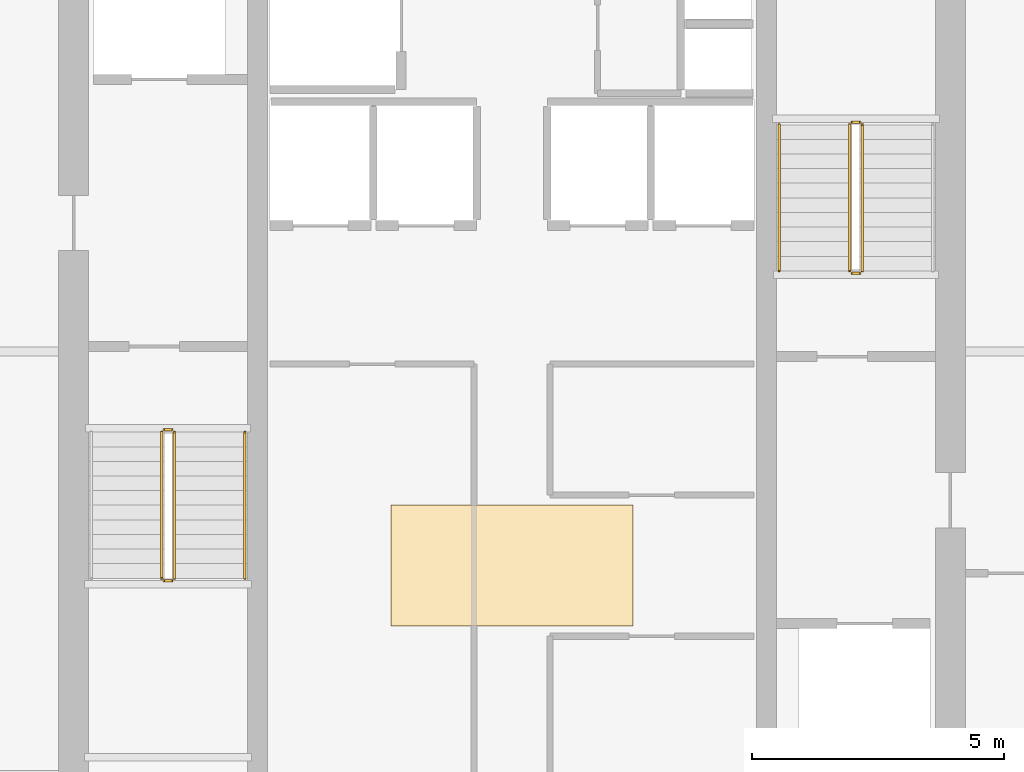
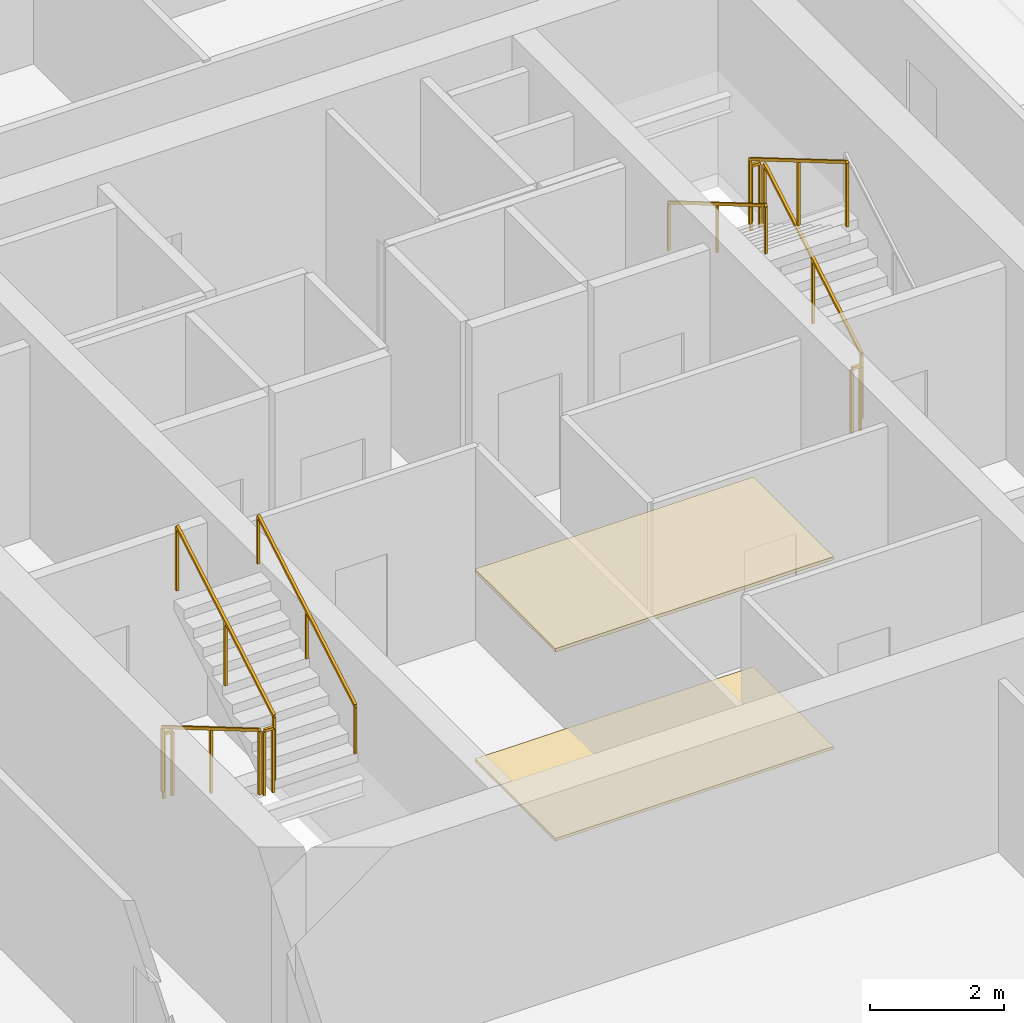
# One storey, part 21 of 22: 10 railings, 2 coverings.
"""IFC4 building model written with IfcOpenShell, lengths in metres."""

from ifc_helpers import new_model, si_unit, direction, frame, origin, origin_2d, place, context, subcontext, project, spatial, polyline, rectangle, outline, extrude, material, layer, layer_set, type_object, element, save


model = new_model("IFC4")

# Units and contexts
model_context = context("Model", 3, precision=1e-05, world=origin(), true_north=direction((0.0, 1.0)))
body_context = subcontext(model_context, "Body", "Model", "MODEL_VIEW")
ifc_project = project(units=[si_unit("LENGTHUNIT", "METRE"), si_unit("AREAUNIT", "SQUARE_METRE"), si_unit("VOLUMEUNIT", "CUBIC_METRE"), si_unit("PLANEANGLEUNIT", "RADIAN"), si_unit("MASSUNIT", "GRAM", prefix="KILO")], contexts=[model_context])

# Site, building, storey
site_placement = place(None, origin())
site = spatial("IfcSite", under=ifc_project, at=site_placement, CompositionType="ELEMENT")
building_placement = place(site_placement, origin())
building = spatial("IfcBuilding", under=site, at=building_placement, Name="Belovzor Exchange Tower", CompositionType="ELEMENT")
storey_placement = place(building_placement, frame((0.0, 0.0, 348.0)))
storey = spatial("IfcBuildingStorey", under=building, at=storey_placement, Name="L87", CompositionType="ELEMENT", Elevation=348.0)

# Railings
ifc_material_1 = material(Name="Stainless Steel Grade 304", Category="steel")
railing_type_1 = type_object("IfcRailingType", Name="Brushed Stainless Steel Stair Handrail 900", PredefinedType="HANDRAIL", material=ifc_material_1)
railing_1_placement = place(storey_placement, frame((23.5, 24.300048828125, 2.04541015625)))
element("IfcRailing", 1, at=railing_1_placement, inside=storey, type_object=railing_type_1, Name="L87 ST-1 stair handrail 2", PredefinedType="HANDRAIL", context=body_context, shape_type="SweptSolid", body=[
    extrude(rectangle(XDim=0.048095703125, YDim=0.048095703125, at=origin_2d()), frame((0.0, 0.0, 0.8759765625), z_axis=(0.0, 0.86209462966, 0.506747323142), x_axis=(-1.0, 0.0, 0.0)), (0.0, 0.0, 1.0), 3.36376953125),
    extrude(rectangle(XDim=0.0419921875, YDim=0.0419921875, at=origin_2d()), origin(), (0.0, 0.0, 1.0), 0.851806640625),
    extrude(rectangle(XDim=0.0419921875, YDim=0.0419921875, at=origin_2d()), frame((0.0, 1.449951171875, 0.852294921875)), (0.0, 0.0, 1.0), 0.851806640625),
    extrude(rectangle(XDim=0.0419921875, YDim=0.0419921875, at=origin_2d()), frame((0.0, 2.89990234375, 1.70458984375)), (0.0, 0.0, 1.0), 0.851806640625),
])
railing_2_placement = place(storey_placement, frame((34.10009765625, 33.300048828125, 2.04541015625)))
element("IfcRailing", 2, at=railing_2_placement, inside=storey, type_object=railing_type_1, Name="L87 ST-2 stair handrail 2", PredefinedType="HANDRAIL", context=body_context, shape_type="SweptSolid", body=[
    extrude(rectangle(XDim=0.048095703125, YDim=0.048095703125, at=origin_2d()), frame((0.0, 0.0, 0.8759765625), z_axis=(0.0, -0.862113265706, 0.506715617574), x_axis=(1.0, 0.0, 0.0)), (0.0, 0.0, 1.0), 3.364013671875),
    extrude(rectangle(XDim=0.0419921875, YDim=0.0419921875, at=origin_2d()), origin(), (0.0, 0.0, 1.0), 0.851806640625),
    extrude(rectangle(XDim=0.0419921875, YDim=0.0419921875, at=origin_2d()), frame((0.0, -1.4501953125, 0.852294921875)), (0.0, 0.0, 1.0), 0.851806640625),
    extrude(rectangle(XDim=0.0419921875, YDim=0.0419921875, at=origin_2d()), frame((0.0, -2.900146484375, 1.70458984375)), (0.0, 0.0, 1.0), 0.851806640625),
])
ifc_material_2 = material(Name="Steel S355", Category="steel")
railing_type_2 = type_object("IfcRailingType", Name="Painted Steel Stairwell Guardrail 1200", PredefinedType="GUARDRAIL", material=ifc_material_2)
railing_3_placement = place(storey_placement, frame((21.85009765625, 27.199951171875, 0.17041015625)))
element("IfcRailing", 3, at=railing_3_placement, inside=storey, type_object=railing_type_2, Name="L87 ST-1 stair guard 1", PredefinedType="GUARDRAIL", context=body_context, shape_type="SweptSolid", body=[
    extrude(rectangle(XDim=0.048095703125, YDim=0.048095703125, at=origin_2d()), frame((0.0, 0.0, 1.17578125), z_axis=(0.0, -0.86209462966, 0.506747323142), x_axis=(1.0, 0.0, 0.0)), (0.0, 0.0, 1.0), 3.36376953125),
    extrude(rectangle(XDim=0.0419921875, YDim=0.0419921875, at=origin_2d()), origin(), (0.0, 0.0, 1.0), 1.15185546875),
    extrude(rectangle(XDim=0.0419921875, YDim=0.0419921875, at=origin_2d()), frame((0.0, -1.449951171875, 0.852294921875)), (0.0, 0.0, 1.0), 1.15185546875),
    extrude(rectangle(XDim=0.0419921875, YDim=0.0419921875, at=origin_2d()), frame((0.0, -2.89990234375, 1.70458984375)), (0.0, 0.0, 1.0), 1.15185546875),
])
railing_4_placement = place(storey_placement, frame((21.89990234375, 24.25, 1.875)))
element("IfcRailing", 4, at=railing_4_placement, inside=storey, type_object=railing_type_2, Name="L87 ST-1 stair guard 2", PredefinedType="GUARDRAIL", context=body_context, shape_type="SweptSolid", body=[
    extrude(rectangle(XDim=0.048095703125, YDim=0.048095703125, at=origin_2d()), frame((0.0, 0.0, 1.17578125), z_axis=(1.0, 0.0, 0.0), x_axis=(0.0, 1.0, 0.0)), (0.0, 0.0, 1.0), 0.150146484375),
    extrude(rectangle(XDim=0.0419921875, YDim=0.0419921875, at=origin_2d()), origin(), (0.0, 0.0, 1.0), 1.15185546875),
    extrude(rectangle(XDim=0.0419921875, YDim=0.0419921875, at=origin_2d()), frame((0.150146484375, 0.0, 0.0)), (0.0, 0.0, 1.0), 1.15185546875),
])
railing_5_placement = place(storey_placement, frame((22.10009765625, 24.300048828125, 2.04541015625)))
element("IfcRailing", 5, at=railing_5_placement, inside=storey, type_object=railing_type_2, Name="L87 ST-1 stair guard 3", PredefinedType="GUARDRAIL", context=body_context, shape_type="SweptSolid", body=[
    extrude(rectangle(XDim=0.048095703125, YDim=0.048095703125, at=origin_2d()), frame((0.0, 0.0, 1.17578125), z_axis=(0.0, 0.86209462966, 0.506747323142), x_axis=(-1.0, 0.0, 0.0)), (0.0, 0.0, 1.0), 3.36376953125),
    extrude(rectangle(XDim=0.0419921875, YDim=0.0419921875, at=origin_2d()), origin(), (0.0, 0.0, 1.0), 1.15185546875),
    extrude(rectangle(XDim=0.0419921875, YDim=0.0419921875, at=origin_2d()), frame((0.0, 1.449951171875, 0.852294921875)), (0.0, 0.0, 1.0), 1.15185546875),
    extrude(rectangle(XDim=0.0419921875, YDim=0.0419921875, at=origin_2d()), frame((0.0, 2.89990234375, 1.70458984375)), (0.0, 0.0, 1.0), 1.15185546875),
])
railing_6_placement = place(storey_placement, frame((21.89990234375, 27.25, 0.0)))
element("IfcRailing", 6, at=railing_6_placement, inside=storey, type_object=railing_type_2, Name="L87 ST-1 stair guard 4", PredefinedType="GUARDRAIL", context=body_context, shape_type="SweptSolid", body=[
    extrude(rectangle(XDim=0.048095703125, YDim=0.048095703125, at=origin_2d()), frame((0.0, 0.0, 1.17578125), z_axis=(1.0, 0.0, 0.0), x_axis=(0.0, 1.0, 0.0)), (0.0, 0.0, 1.0), 0.150146484375),
    extrude(rectangle(XDim=0.0419921875, YDim=0.0419921875, at=origin_2d()), origin(), (0.0, 0.0, 1.0), 1.15185546875),
    extrude(rectangle(XDim=0.0419921875, YDim=0.0419921875, at=origin_2d()), frame((0.150146484375, 0.0, 0.0)), (0.0, 0.0, 1.0), 1.15185546875),
])
railing_7_placement = place(storey_placement, frame((35.75, 30.39990234375, 0.17041015625)))
element("IfcRailing", 7, at=railing_7_placement, inside=storey, type_object=railing_type_2, Name="L87 ST-2 stair guard 1", PredefinedType="GUARDRAIL", context=body_context, shape_type="SweptSolid", body=[
    extrude(rectangle(XDim=0.048095703125, YDim=0.048095703125, at=origin_2d()), frame((0.0, 0.0, 1.17578125), z_axis=(0.0, 0.862113265706, 0.506715617574), x_axis=(-1.0, 0.0, 0.0)), (0.0, 0.0, 1.0), 3.364013671875),
    extrude(rectangle(XDim=0.0419921875, YDim=0.0419921875, at=origin_2d()), origin(), (0.0, 0.0, 1.0), 1.15185546875),
    extrude(rectangle(XDim=0.0419921875, YDim=0.0419921875, at=origin_2d()), frame((0.0, 1.4501953125, 0.852294921875)), (0.0, 0.0, 1.0), 1.15185546875),
    extrude(rectangle(XDim=0.0419921875, YDim=0.0419921875, at=origin_2d()), frame((0.0, 2.900146484375, 1.70458984375)), (0.0, 0.0, 1.0), 1.15185546875),
])
railing_8_placement = place(storey_placement, frame((35.699951171875, 33.35009765625, 1.875)))
element("IfcRailing", 8, at=railing_8_placement, inside=storey, type_object=railing_type_2, Name="L87 ST-2 stair guard 2", PredefinedType="GUARDRAIL", context=body_context, shape_type="SweptSolid", body=[
    extrude(rectangle(XDim=0.048095703125, YDim=0.048095703125, at=origin_2d()), frame((0.0, 0.0, 1.17578125), z_axis=(-1.0, 0.0, 0.0), x_axis=(0.0, -1.0, 0.0)), (0.0, 0.0, 1.0), 0.14990234375),
    extrude(rectangle(XDim=0.0419921875, YDim=0.0419921875, at=origin_2d()), origin(), (0.0, 0.0, 1.0), 1.15185546875),
    extrude(rectangle(XDim=0.0419921875, YDim=0.0419921875, at=origin_2d()), frame((-0.14990234375, 0.0, 0.0)), (0.0, 0.0, 1.0), 1.15185546875),
])
railing_9_placement = place(storey_placement, frame((35.5, 33.300048828125, 2.04541015625)))
element("IfcRailing", 9, at=railing_9_placement, inside=storey, type_object=railing_type_2, Name="L87 ST-2 stair guard 3", PredefinedType="GUARDRAIL", context=body_context, shape_type="SweptSolid", body=[
    extrude(rectangle(XDim=0.048095703125, YDim=0.048095703125, at=origin_2d()), frame((0.0, 0.0, 1.17578125), z_axis=(0.0, -0.862113265706, 0.506715617574), x_axis=(1.0, 0.0, 0.0)), (0.0, 0.0, 1.0), 3.364013671875),
    extrude(rectangle(XDim=0.0419921875, YDim=0.0419921875, at=origin_2d()), origin(), (0.0, 0.0, 1.0), 1.15185546875),
    extrude(rectangle(XDim=0.0419921875, YDim=0.0419921875, at=origin_2d()), frame((0.0, -1.4501953125, 0.852294921875)), (0.0, 0.0, 1.0), 1.15185546875),
    extrude(rectangle(XDim=0.0419921875, YDim=0.0419921875, at=origin_2d()), frame((0.0, -2.900146484375, 1.70458984375)), (0.0, 0.0, 1.0), 1.15185546875),
])
railing_10_placement = place(storey_placement, frame((35.699951171875, 30.35009765625, 0.0)))
element("IfcRailing", 10, at=railing_10_placement, inside=storey, type_object=railing_type_2, Name="L87 ST-2 stair guard 4", PredefinedType="GUARDRAIL", context=body_context, shape_type="SweptSolid", body=[
    extrude(rectangle(XDim=0.048095703125, YDim=0.048095703125, at=origin_2d()), frame((0.0, 0.0, 1.17578125), z_axis=(-1.0, 0.0, 0.0), x_axis=(0.0, -1.0, 0.0)), (0.0, 0.0, 1.0), 0.14990234375),
    extrude(rectangle(XDim=0.0419921875, YDim=0.0419921875, at=origin_2d()), origin(), (0.0, 0.0, 1.0), 1.15185546875),
    extrude(rectangle(XDim=0.0419921875, YDim=0.0419921875, at=origin_2d()), frame((-0.14990234375, 0.0, 0.0)), (0.0, 0.0, 1.0), 1.15185546875),
])

# Coverings
ifc_material_3 = material(Name="Perforated Powder-Coated Aluminium", Category="aluminium")
ifc_layer_1 = layer(ifc_material_3, 0.06005859375)
ifc_layer_set_1 = layer_set([ifc_layer_1], Name="Perforated Powder-Coated Aluminium")
covering_type_1 = type_object("IfcCoveringType", Name="Perforated Acoustic Metal Tile Suspended Ceiling 60", PredefinedType="CEILING", material=ifc_layer_set_1)
covering_1_placement = place(storey_placement, frame((0.0, 0.0, 3.449951171875)))
element("IfcCovering", 11, at=covering_1_placement, inside=storey, type_object=covering_type_1, Name="CLG-AC60 Suspended Ceiling CLG-L87-LOB", PredefinedType="CEILING", context=body_context, shape_type="SweptSolid", body=[
    extrude(outline(polyline([(26.39990234375, 23.35009765625), (31.199951171875, 23.35009765625), (31.199951171875, 25.75), (26.39990234375, 25.75), (26.39990234375, 23.35009765625)])), origin(), (0.0, 0.0, 1.0), 0.06005859375),
])
ifc_material_4 = material(Name="Polished Natural Granite Tile", Category="masonry")
ifc_layer_2 = layer(ifc_material_4, 0.050048828125)
ifc_layer_set_2 = layer_set([ifc_layer_2], Name="Polished Natural Granite Tile")
covering_type_2 = type_object("IfcCoveringType", Name="Polished Karelian Granite & Raised Access Floor Finish 50", PredefinedType="FLOORING", material=ifc_layer_set_2)
covering_2_placement = place(storey_placement, origin())
element("IfcCovering", 12, at=covering_2_placement, inside=storey, type_object=covering_type_2, Name="FLR-GR50 Floor Finish FLR-L87-LOB", PredefinedType="FLOORING", context=body_context, shape_type="SweptSolid", body=[
    extrude(outline(polyline([(26.39990234375, 23.35009765625), (31.199951171875, 23.35009765625), (31.199951171875, 25.75), (26.39990234375, 25.75), (26.39990234375, 23.35009765625)])), origin(), (0.0, 0.0, 1.0), 0.050048828125),
])

save(model, "model.ifc")
